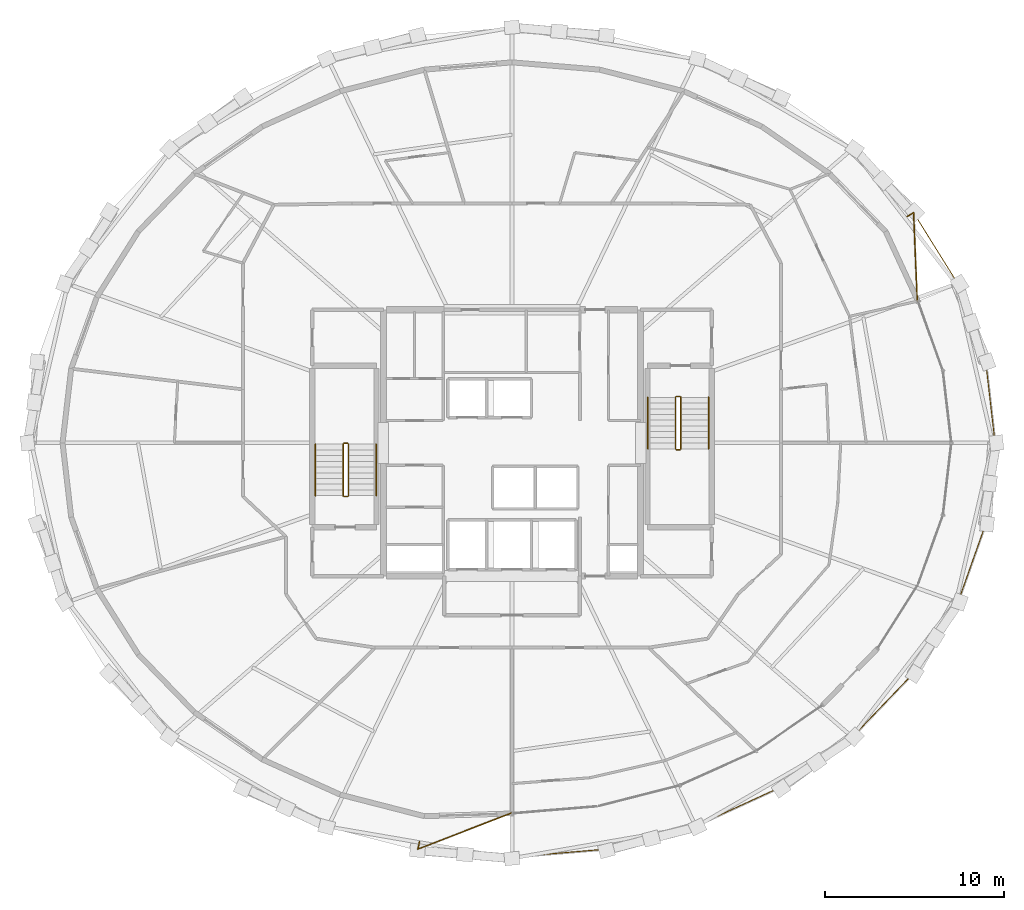
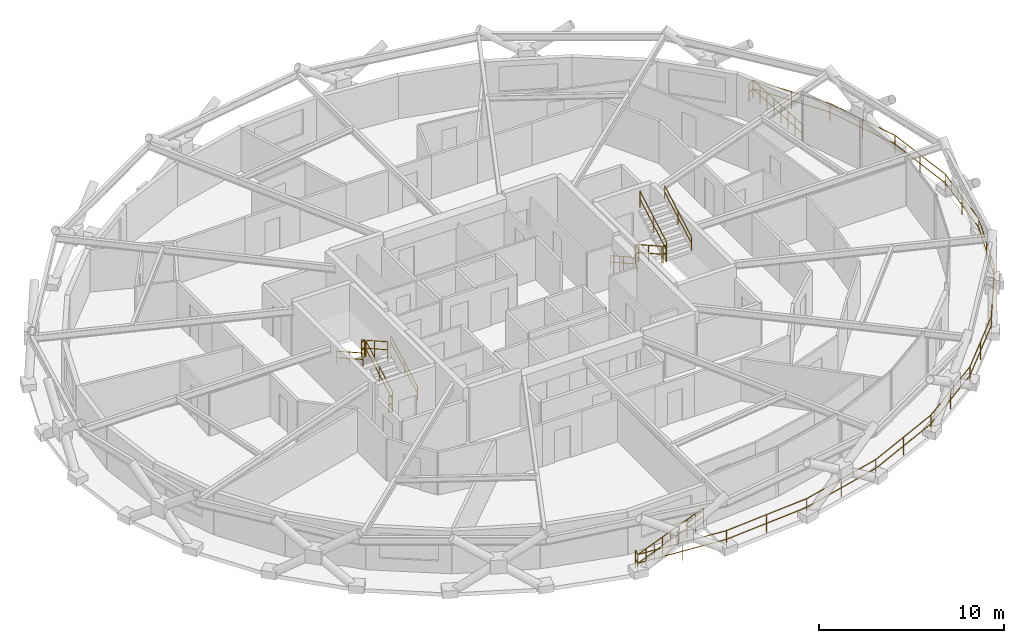
# One storey, part 16 of 16: 15 railings.
"""IFC4 building model written with IfcOpenShell, lengths in metres."""

from ifc_helpers import new_model, si_unit, direction, frame, origin, origin_2d, place, context, subcontext, project, spatial, circle, extrude, material, type_object, element, save


model = new_model("IFC4")

# Units and contexts
model_context = context("Model", 3, precision=1e-05, world=origin(), true_north=direction((0.0, 1.0)))
body_context = subcontext(model_context, "Body", "Model", "MODEL_VIEW")
ifc_project = project(units=[si_unit("LENGTHUNIT", "METRE"), si_unit("AREAUNIT", "SQUARE_METRE"), si_unit("VOLUMEUNIT", "CUBIC_METRE"), si_unit("PLANEANGLEUNIT", "RADIAN"), si_unit("MASSUNIT", "GRAM", prefix="KILO")], contexts=[model_context])

# Site, building, storey
site_placement = place(None, origin())
site = spatial("IfcSite", under=ifc_project, at=site_placement, CompositionType="ELEMENT")
building_placement = place(site_placement, origin())
building = spatial("IfcBuilding", under=site, at=building_placement, Name="Veldorina Hangang Commons", CompositionType="ELEMENT")
storey_placement = place(building_placement, frame((0.0, 0.0, 189.199951171875)))
storey = spatial("IfcBuildingStorey", under=building, at=storey_placement, Name="L49", CompositionType="ELEMENT", Elevation=189.199951171875)

# Railings
ifc_material_1 = material(Name="Glass Laminated Safety Balustrade", Category="glass")
railing_type_1 = type_object("IfcRailingType", Name="RL-BAL-LOGGIA", PredefinedType="BALUSTRADE", material=ifc_material_1)
railing_1_placement = place(storey_placement, frame((26.8251953125, 1.682373046875, 0.0)))
element("IfcRailing", 1, at=railing_1_placement, inside=storey, type_object=railing_type_1, Name="L49 sky-garden loggia end balustrade A", PredefinedType="BALUSTRADE", context=body_context, shape_type="SweptSolid", body=[
    extrude(circle(Radius=0.02392578125, at=origin_2d()), frame((0.0, 0.0, 1.17578125), z_axis=(-0.225538706827, -0.974234207839, 0.0), x_axis=(0.974234207839, -0.225538706827, 0.0)), (0.0, 0.0, 1.0), 0.419921875),
    extrude(circle(Radius=0.02392578125, at=origin_2d()), frame((0.0, 0.0, 0.60009765625), z_axis=(-0.225538706827, -0.974234207839, 0.0), x_axis=(0.974234207839, -0.225538706827, 0.0)), (0.0, 0.0, 1.0), 0.419921875),
    extrude(circle(Radius=0.02392578125, at=origin_2d()), frame((-0.0947265625, -0.4091796875, 1.17578125), z_axis=(0.932831151475, 0.360313811612, 0.0), x_axis=(-0.360313811612, 0.932831151475, 0.0)), (0.0, 0.0, 1.0), 5.64892578125),
    extrude(circle(Radius=0.02392578125, at=origin_2d()), frame((-0.0947265625, -0.4091796875, 0.60009765625), z_axis=(0.932831151475, 0.360313811612, 0.0), x_axis=(-0.360313811612, 0.932831151475, 0.0)), (0.0, 0.0, 1.0), 5.64892578125),
    extrude(circle(Radius=0.02099609375, at=origin_2d()), origin(), (0.0, 0.0, 1.0), 1.15185546875),
    extrude(circle(Radius=0.02099609375, at=origin_2d()), frame((-0.0947265625, -0.4091796875, 0.0)), (0.0, 0.0, 1.0), 1.15185546875),
    extrude(circle(Radius=0.02099609375, at=origin_2d()), frame((0.56396484375, -0.15478515625, 0.0)), (0.0, 0.0, 1.0), 1.15185546875),
    extrude(circle(Radius=0.02099609375, at=origin_2d()), frame((1.22265625, 0.099609375, 0.0)), (0.0, 0.0, 1.0), 1.15185546875),
    extrude(circle(Radius=0.02099609375, at=origin_2d()), frame((1.88134765625, 0.35400390625, 0.0)), (0.0, 0.0, 1.0), 1.15185546875),
    extrude(circle(Radius=0.02099609375, at=origin_2d()), frame((2.5400390625, 0.6083984375, 0.0)), (0.0, 0.0, 1.0), 1.15185546875),
    extrude(circle(Radius=0.02099609375, at=origin_2d()), frame((3.19873046875, 0.863037109375, 0.0)), (0.0, 0.0, 1.0), 1.15185546875),
    extrude(circle(Radius=0.02099609375, at=origin_2d()), frame((3.857421875, 1.117431640625, 0.0)), (0.0, 0.0, 1.0), 1.15185546875),
    extrude(circle(Radius=0.02099609375, at=origin_2d()), frame((4.51611328125, 1.371826171875, 0.0)), (0.0, 0.0, 1.0), 1.15185546875),
    extrude(circle(Radius=0.02099609375, at=origin_2d()), frame((5.1748046875, 1.626220703125, 0.0)), (0.0, 0.0, 1.0), 1.15185546875),
])
railing_2_placement = place(storey_placement, frame((54.102294921875, 36.669189453125, 0.0)))
element("IfcRailing", 2, at=railing_2_placement, inside=storey, type_object=railing_type_1, Name="L49 sky-garden loggia end balustrade B", PredefinedType="BALUSTRADE", context=body_context, shape_type="SweptSolid", body=[
    extrude(circle(Radius=0.02392578125, at=origin_2d()), frame((0.0, 0.0, 1.17578125), z_axis=(0.867777776068, 0.496952443763, 0.0), x_axis=(-0.496952443763, 0.867777776068, 0.0)), (0.0, 0.0, 1.0), 0.419921875),
    extrude(circle(Radius=0.02392578125, at=origin_2d()), frame((0.0, 0.0, 0.60009765625), z_axis=(0.867777776068, 0.496952443763, 0.0), x_axis=(-0.496952443763, 0.867777776068, 0.0)), (0.0, 0.0, 1.0), 0.419921875),
    extrude(circle(Radius=0.02392578125, at=origin_2d()), frame((0.364501953125, 0.208740234375, 1.17578125), z_axis=(0.041921157562, -0.999120921885, 0.0), x_axis=(0.999120921885, 0.041921157562, 0.0)), (0.0, 0.0, 1.0), 4.9619140625),
    extrude(circle(Radius=0.02392578125, at=origin_2d()), frame((0.364501953125, 0.208740234375, 0.60009765625), z_axis=(0.041921157562, -0.999120921885, 0.0), x_axis=(0.999120921885, 0.041921157562, 0.0)), (0.0, 0.0, 1.0), 4.9619140625),
    extrude(circle(Radius=0.02099609375, at=origin_2d()), origin(), (0.0, 0.0, 1.0), 1.15185546875),
    extrude(circle(Radius=0.02099609375, at=origin_2d()), frame((0.364501953125, 0.208740234375, 0.0)), (0.0, 0.0, 1.0), 1.15185546875),
    extrude(circle(Radius=0.02099609375, at=origin_2d()), frame((0.394287109375, -0.49951171875, 0.0)), (0.0, 0.0, 1.0), 1.15185546875),
    extrude(circle(Radius=0.02099609375, at=origin_2d()), frame((0.423828125, -1.207763671875, 0.0)), (0.0, 0.0, 1.0), 1.15185546875),
    extrude(circle(Radius=0.02099609375, at=origin_2d()), frame((0.45361328125, -1.916015625, 0.0)), (0.0, 0.0, 1.0), 1.15185546875),
    extrude(circle(Radius=0.02099609375, at=origin_2d()), frame((0.4833984375, -2.6240234375, 0.0)), (0.0, 0.0, 1.0), 1.15185546875),
    extrude(circle(Radius=0.02099609375, at=origin_2d()), frame((0.51318359375, -3.332275390625, 0.0)), (0.0, 0.0, 1.0), 1.15185546875),
    extrude(circle(Radius=0.02099609375, at=origin_2d()), frame((0.542724609375, -4.04052734375, 0.0)), (0.0, 0.0, 1.0), 1.15185546875),
    extrude(circle(Radius=0.02099609375, at=origin_2d()), frame((0.572509765625, -4.748779296875, 0.0)), (0.0, 0.0, 1.0), 1.15185546875),
])
railing_3_placement = place(storey_placement, frame((26.73046875, 1.273193359375, 0.0)))
element("IfcRailing", 3, at=railing_3_placement, inside=storey, type_object=railing_type_1, Name="L49 sky-garden loggia outer balustrade", PredefinedType="BALUSTRADE", context=body_context, shape_type="SweptSolid", body=[
    extrude(circle(Radius=0.02392578125, at=origin_2d()), frame((0.0, 0.0, 1.17578125), z_axis=(0.996459903584, -0.084069379375, 0.0), x_axis=(0.084069379375, 0.996459903584, 0.0)), (0.0, 0.0, 1.0), 5.288330078125),
    extrude(circle(Radius=0.02392578125, at=origin_2d()), frame((0.0, 0.0, 0.60009765625), z_axis=(0.996459903584, -0.084069379375, 0.0), x_axis=(0.084069379375, 0.996459903584, 0.0)), (0.0, 0.0, 1.0), 5.288330078125),
    extrude(circle(Radius=0.02392578125, at=origin_2d()), frame((5.26953125, -0.444580078125, 1.17578125), z_axis=(0.996459903584, 0.084069379375, 0.0), x_axis=(-0.084069379375, 0.996459903584, 0.0)), (0.0, 0.0, 1.0), 5.288330078125),
    extrude(circle(Radius=0.02392578125, at=origin_2d()), frame((5.26953125, -0.444580078125, 0.60009765625), z_axis=(0.996459903584, 0.084069379375, 0.0), x_axis=(-0.084069379375, 0.996459903584, 0.0)), (0.0, 0.0, 1.0), 5.288330078125),
    extrude(circle(Radius=0.02392578125, at=origin_2d()), frame((10.5390625, 0.0, 1.17578125), z_axis=(0.967846120841, 0.251543010981, 0.0), x_axis=(-0.251543010981, 0.967846120841, 0.0)), (0.0, 0.0, 1.0), 5.236328125),
    extrude(circle(Radius=0.02392578125, at=origin_2d()), frame((10.5390625, 0.0, 0.60009765625), z_axis=(0.967846120841, 0.251543010981, 0.0), x_axis=(-0.251543010981, 0.967846120841, 0.0)), (0.0, 0.0, 1.0), 5.236328125),
    extrude(circle(Radius=0.02392578125, at=origin_2d()), frame((15.60693359375, 1.317138671875, 1.17578125), z_axis=(0.909158530422, 0.416450196976, 0.0), x_axis=(-0.416450196976, 0.909158530422, 0.0)), (0.0, 0.0, 1.0), 5.138427734375),
    extrude(circle(Radius=0.02392578125, at=origin_2d()), frame((15.60693359375, 1.317138671875, 0.60009765625), z_axis=(0.909158530422, 0.416450196976, 0.0), x_axis=(-0.416450196976, 0.909158530422, 0.0)), (0.0, 0.0, 1.0), 5.138427734375),
    extrude(circle(Radius=0.02392578125, at=origin_2d()), frame((20.278564453125, 3.45703125, 1.17578125), z_axis=(0.817951725631, 0.575286862823, 0.0), x_axis=(-0.575286862823, 0.817951725631, 0.0)), (0.0, 0.0, 1.0), 5.00732421875),
    extrude(circle(Radius=0.02392578125, at=origin_2d()), frame((20.278564453125, 3.45703125, 0.60009765625), z_axis=(0.817951725631, 0.575286862823, 0.0), x_axis=(-0.575286862823, 0.817951725631, 0.0)), (0.0, 0.0, 1.0), 5.00732421875),
    extrude(circle(Radius=0.02392578125, at=origin_2d()), frame((24.374267578125, 6.337646484375, 1.17578125), z_axis=(0.691597700579, 0.722282922789, 0.0), x_axis=(-0.722282922789, 0.691597700579, 0.0)), (0.0, 0.0, 1.0), 4.861328125),
    extrude(circle(Radius=0.02392578125, at=origin_2d()), frame((24.374267578125, 6.337646484375, 0.60009765625), z_axis=(0.691597700579, 0.722282922789, 0.0), x_axis=(-0.722282922789, 0.691597700579, 0.0)), (0.0, 0.0, 1.0), 4.861328125),
    extrude(circle(Radius=0.02392578125, at=origin_2d()), frame((27.736328125, 9.848876953125, 1.17578125), z_axis=(0.529162167725, 0.848520712917, 0.0), x_axis=(-0.848520712917, 0.529162167725, 0.0)), (0.0, 0.0, 1.0), 4.72216796875),
    extrude(circle(Radius=0.02392578125, at=origin_2d()), frame((27.736328125, 9.848876953125, 0.60009765625), z_axis=(0.529162167725, 0.848520712917, 0.0), x_axis=(-0.848520712917, 0.529162167725, 0.0)), (0.0, 0.0, 1.0), 4.72216796875),
    extrude(circle(Radius=0.02392578125, at=origin_2d()), frame((30.235107421875, 13.855712890625, 1.17578125), z_axis=(0.333609044694, 0.942711517538, 0.0), x_axis=(-0.942711517538, 0.333609044694, 0.0)), (0.0, 0.0, 1.0), 4.612548828125),
    extrude(circle(Radius=0.02392578125, at=origin_2d()), frame((30.235107421875, 13.855712890625, 0.60009765625), z_axis=(0.333609044694, 0.942711517538, 0.0), x_axis=(-0.942711517538, 0.333609044694, 0.0)), (0.0, 0.0, 1.0), 4.612548828125),
    extrude(circle(Radius=0.02392578125, at=origin_2d()), frame((31.77392578125, 18.2041015625, 1.17578125), z_axis=(0.114174246422, 0.993460739765, 0.0), x_axis=(-0.993460739765, 0.114174246422, 0.0)), (0.0, 0.0, 1.0), 4.552490234375),
    extrude(circle(Radius=0.02392578125, at=origin_2d()), frame((31.77392578125, 18.2041015625, 0.60009765625), z_axis=(0.114174246422, 0.993460739765, 0.0), x_axis=(-0.993460739765, 0.114174246422, 0.0)), (0.0, 0.0, 1.0), 4.552490234375),
    extrude(circle(Radius=0.02392578125, at=origin_2d()), frame((32.293701171875, 22.726806640625, 1.17578125), z_axis=(-0.114174246422, 0.993460739765, 0.0), x_axis=(-0.993460739765, -0.114174246422, 0.0)), (0.0, 0.0, 1.0), 4.552490234375),
    extrude(circle(Radius=0.02392578125, at=origin_2d()), frame((32.293701171875, 22.726806640625, 0.60009765625), z_axis=(-0.114174246422, 0.993460739765, 0.0), x_axis=(-0.993460739765, -0.114174246422, 0.0)), (0.0, 0.0, 1.0), 4.552490234375),
    extrude(circle(Radius=0.02392578125, at=origin_2d()), frame((31.77392578125, 27.24951171875, 1.17578125), z_axis=(-0.333609044694, 0.942711517538, 0.0), x_axis=(-0.942711517538, -0.333609044694, 0.0)), (0.0, 0.0, 1.0), 4.612548828125),
    extrude(circle(Radius=0.02392578125, at=origin_2d()), frame((31.77392578125, 27.24951171875, 0.60009765625), z_axis=(-0.333609044694, 0.942711517538, 0.0), x_axis=(-0.942711517538, -0.333609044694, 0.0)), (0.0, 0.0, 1.0), 4.612548828125),
    extrude(circle(Radius=0.02392578125, at=origin_2d()), frame((30.235107421875, 31.597900390625, 1.17578125), z_axis=(-0.529162167725, 0.848520712917, 0.0), x_axis=(-0.848520712917, -0.529162167725, 0.0)), (0.0, 0.0, 1.0), 4.72216796875),
    extrude(circle(Radius=0.02392578125, at=origin_2d()), frame((30.235107421875, 31.597900390625, 0.60009765625), z_axis=(-0.529162167725, 0.848520712917, 0.0), x_axis=(-0.848520712917, -0.529162167725, 0.0)), (0.0, 0.0, 1.0), 4.72216796875),
    extrude(circle(Radius=0.02099609375, at=origin_2d()), origin(), (0.0, 0.0, 1.0), 1.15185546875),
    extrude(circle(Radius=0.02099609375, at=origin_2d()), frame((2.634765625, -0.22216796875, 0.0)), (0.0, 0.0, 1.0), 1.15185546875),
    extrude(circle(Radius=0.02099609375, at=origin_2d()), frame((5.26953125, -0.444580078125, 0.0)), (0.0, 0.0, 1.0), 1.15185546875),
    extrude(circle(Radius=0.02099609375, at=origin_2d()), frame((7.904296875, -0.22216796875, 0.0)), (0.0, 0.0, 1.0), 1.15185546875),
    extrude(circle(Radius=0.02099609375, at=origin_2d()), frame((10.5390625, 0.0, 0.0)), (0.0, 0.0, 1.0), 1.15185546875),
    extrude(circle(Radius=0.02099609375, at=origin_2d()), frame((13.072998046875, 0.65869140625, 0.0)), (0.0, 0.0, 1.0), 1.15185546875),
    extrude(circle(Radius=0.02099609375, at=origin_2d()), frame((15.60693359375, 1.317138671875, 0.0)), (0.0, 0.0, 1.0), 1.15185546875),
    extrude(circle(Radius=0.02099609375, at=origin_2d()), frame((17.94287109375, 2.38720703125, 0.0)), (0.0, 0.0, 1.0), 1.15185546875),
    extrude(circle(Radius=0.02099609375, at=origin_2d()), frame((20.278564453125, 3.45703125, 0.0)), (0.0, 0.0, 1.0), 1.15185546875),
    extrude(circle(Radius=0.02099609375, at=origin_2d()), frame((22.326416015625, 4.8974609375, 0.0)), (0.0, 0.0, 1.0), 1.15185546875),
    extrude(circle(Radius=0.02099609375, at=origin_2d()), frame((24.374267578125, 6.337646484375, 0.0)), (0.0, 0.0, 1.0), 1.15185546875),
    extrude(circle(Radius=0.02099609375, at=origin_2d()), frame((26.05517578125, 8.09326171875, 0.0)), (0.0, 0.0, 1.0), 1.15185546875),
    extrude(circle(Radius=0.02099609375, at=origin_2d()), frame((27.736328125, 9.848876953125, 0.0)), (0.0, 0.0, 1.0), 1.15185546875),
    extrude(circle(Radius=0.02099609375, at=origin_2d()), frame((28.98583984375, 11.852294921875, 0.0)), (0.0, 0.0, 1.0), 1.15185546875),
    extrude(circle(Radius=0.02099609375, at=origin_2d()), frame((30.235107421875, 13.855712890625, 0.0)), (0.0, 0.0, 1.0), 1.15185546875),
    extrude(circle(Radius=0.02099609375, at=origin_2d()), frame((31.00439453125, 16.02978515625, 0.0)), (0.0, 0.0, 1.0), 1.15185546875),
    extrude(circle(Radius=0.02099609375, at=origin_2d()), frame((31.77392578125, 18.2041015625, 0.0)), (0.0, 0.0, 1.0), 1.15185546875),
    extrude(circle(Radius=0.02099609375, at=origin_2d()), frame((32.03369140625, 20.46533203125, 0.0)), (0.0, 0.0, 1.0), 1.15185546875),
    extrude(circle(Radius=0.02099609375, at=origin_2d()), frame((32.293701171875, 22.726806640625, 0.0)), (0.0, 0.0, 1.0), 1.15185546875),
    extrude(circle(Radius=0.02099609375, at=origin_2d()), frame((32.03369140625, 24.98828125, 0.0)), (0.0, 0.0, 1.0), 1.15185546875),
    extrude(circle(Radius=0.02099609375, at=origin_2d()), frame((31.77392578125, 27.24951171875, 0.0)), (0.0, 0.0, 1.0), 1.15185546875),
    extrude(circle(Radius=0.02099609375, at=origin_2d()), frame((31.00439453125, 29.423828125, 0.0)), (0.0, 0.0, 1.0), 1.15185546875),
    extrude(circle(Radius=0.02099609375, at=origin_2d()), frame((30.235107421875, 31.597900390625, 0.0)), (0.0, 0.0, 1.0), 1.15185546875),
    extrude(circle(Radius=0.02099609375, at=origin_2d()), frame((28.98583984375, 33.601318359375, 0.0)), (0.0, 0.0, 1.0), 1.15185546875),
    extrude(circle(Radius=0.02099609375, at=origin_2d()), frame((27.736328125, 35.604736328125, 0.0)), (0.0, 0.0, 1.0), 1.15185546875),
])
ifc_material_2 = material(Name="Steel Painted Balustrade", Category="steel")
railing_type_2 = type_object("IfcRailingType", Name="RL-GRD-STAIR", PredefinedType="GUARDRAIL", material=ifc_material_2)
railing_4_placement = place(storey_placement, frame((22.85009765625, 21.050048828125, 0.179931640625)))
element("IfcRailing", 4, at=railing_4_placement, inside=storey, type_object=railing_type_2, Name="L49 ST-1 stair guard 1", PredefinedType="GUARDRAIL", context=body_context, shape_type="SweptSolid", body=[
    extrude(circle(Radius=0.02392578125, at=origin_2d()), frame((0.0, 0.0, 1.076171875), z_axis=(0.0, 0.87155185771, 0.490303333991), x_axis=(-1.0, 0.0, 0.0)), (0.0, 0.0, 1.0), 3.30419921875),
    extrude(circle(Radius=0.02392578125, at=origin_2d()), frame((0.0, 0.0, 0.550048828125), z_axis=(0.0, 0.87155185771, 0.490303333991), x_axis=(-1.0, 0.0, 0.0)), (0.0, 0.0, 1.0), 3.30419921875),
    extrude(circle(Radius=0.02099609375, at=origin_2d()), origin(), (0.0, 0.0, 1.0), 1.052001953125),
    extrude(circle(Radius=0.02099609375, at=origin_2d()), frame((0.0, 1.43994140625, 0.81005859375)), (0.0, 0.0, 1.0), 1.052001953125),
    extrude(circle(Radius=0.02099609375, at=origin_2d()), frame((0.0, 2.8798828125, 1.6201171875)), (0.0, 0.0, 1.0), 1.052001953125),
])
railing_5_placement = place(storey_placement, frame((22.800048828125, 23.97998046875, 1.800048828125)))
element("IfcRailing", 5, at=railing_5_placement, inside=storey, type_object=railing_type_2, Name="L49 ST-1 stair guard 2", PredefinedType="GUARDRAIL", context=body_context, shape_type="SweptSolid", body=[
    extrude(circle(Radius=0.02392578125, at=origin_2d()), frame((0.0, 0.0, 1.076171875), z_axis=(-1.0, 0.0, 0.0), x_axis=(0.0, -1.0, 0.0)), (0.0, 0.0, 1.0), 0.199951171875),
    extrude(circle(Radius=0.02392578125, at=origin_2d()), frame((0.0, 0.0, 0.550048828125), z_axis=(-1.0, 0.0, 0.0), x_axis=(0.0, -1.0, 0.0)), (0.0, 0.0, 1.0), 0.199951171875),
    extrude(circle(Radius=0.02099609375, at=origin_2d()), origin(), (0.0, 0.0, 1.0), 1.052001953125),
    extrude(circle(Radius=0.02099609375, at=origin_2d()), frame((-0.199951171875, 0.0, 0.0)), (0.0, 0.0, 1.0), 1.052001953125),
])
railing_6_placement = place(storey_placement, frame((22.550048828125, 23.929931640625, 1.97998046875)))
element("IfcRailing", 6, at=railing_6_placement, inside=storey, type_object=railing_type_2, Name="L49 ST-1 stair guard 3", PredefinedType="GUARDRAIL", context=body_context, shape_type="SweptSolid", body=[
    extrude(circle(Radius=0.02392578125, at=origin_2d()), frame((0.0, 0.0, 1.076171875), z_axis=(0.0, -0.87155185771, 0.490303333991), x_axis=(1.0, 0.0, 0.0)), (0.0, 0.0, 1.0), 3.30419921875),
    extrude(circle(Radius=0.02392578125, at=origin_2d()), frame((0.0, 0.0, 0.550048828125), z_axis=(0.0, -0.87155185771, 0.490303333991), x_axis=(1.0, 0.0, 0.0)), (0.0, 0.0, 1.0), 3.30419921875),
    extrude(circle(Radius=0.02099609375, at=origin_2d()), origin(), (0.0, 0.0, 1.0), 1.052001953125),
    extrude(circle(Radius=0.02099609375, at=origin_2d()), frame((0.0, -1.43994140625, 0.81005859375)), (0.0, 0.0, 1.0), 1.052001953125),
    extrude(circle(Radius=0.02099609375, at=origin_2d()), frame((0.0, -2.8798828125, 1.6201171875)), (0.0, 0.0, 1.0), 1.052001953125),
])
railing_7_placement = place(storey_placement, frame((22.800048828125, 21.0, 0.0)))
element("IfcRailing", 7, at=railing_7_placement, inside=storey, type_object=railing_type_2, Name="L49 ST-1 stair guard 4", PredefinedType="GUARDRAIL", context=body_context, shape_type="SweptSolid", body=[
    extrude(circle(Radius=0.02392578125, at=origin_2d()), frame((0.0, 0.0, 1.076171875), z_axis=(-1.0, 0.0, 0.0), x_axis=(0.0, -1.0, 0.0)), (0.0, 0.0, 1.0), 0.199951171875),
    extrude(circle(Radius=0.02392578125, at=origin_2d()), frame((0.0, 0.0, 0.550048828125), z_axis=(-1.0, 0.0, 0.0), x_axis=(0.0, -1.0, 0.0)), (0.0, 0.0, 1.0), 0.199951171875),
    extrude(circle(Radius=0.02099609375, at=origin_2d()), origin(), (0.0, 0.0, 1.0), 1.052001953125),
    extrude(circle(Radius=0.02099609375, at=origin_2d()), frame((-0.199951171875, 0.0, 0.0)), (0.0, 0.0, 1.0), 1.052001953125),
])
railing_8_placement = place(storey_placement, frame((41.14990234375, 26.550048828125, 0.179931640625)))
element("IfcRailing", 8, at=railing_8_placement, inside=storey, type_object=railing_type_2, Name="L49 ST-2 stair guard 1", PredefinedType="GUARDRAIL", context=body_context, shape_type="SweptSolid", body=[
    extrude(circle(Radius=0.02392578125, at=origin_2d()), frame((0.0, 0.0, 1.076171875), z_axis=(0.0, -0.871569617843, 0.490271762652), x_axis=(1.0, 0.0, 0.0)), (0.0, 0.0, 1.0), 3.304443359375),
    extrude(circle(Radius=0.02392578125, at=origin_2d()), frame((0.0, 0.0, 0.550048828125), z_axis=(0.0, -0.871569617843, 0.490271762652), x_axis=(1.0, 0.0, 0.0)), (0.0, 0.0, 1.0), 3.304443359375),
    extrude(circle(Radius=0.02099609375, at=origin_2d()), origin(), (0.0, 0.0, 1.0), 1.052001953125),
    extrude(circle(Radius=0.02099609375, at=origin_2d()), frame((0.0, -1.43994140625, 0.81005859375)), (0.0, 0.0, 1.0), 1.052001953125),
    extrude(circle(Radius=0.02099609375, at=origin_2d()), frame((0.0, -2.880126953125, 1.6201171875)), (0.0, 0.0, 1.0), 1.052001953125),
])
railing_9_placement = place(storey_placement, frame((41.199951171875, 23.6201171875, 1.800048828125)))
element("IfcRailing", 9, at=railing_9_placement, inside=storey, type_object=railing_type_2, Name="L49 ST-2 stair guard 2", PredefinedType="GUARDRAIL", context=body_context, shape_type="SweptSolid", body=[
    extrude(circle(Radius=0.02392578125, at=origin_2d()), frame((0.0, 0.0, 1.076171875), z_axis=(1.0, 0.0, 0.0), x_axis=(0.0, 1.0, 0.0)), (0.0, 0.0, 1.0), 0.199951171875),
    extrude(circle(Radius=0.02392578125, at=origin_2d()), frame((0.0, 0.0, 0.550048828125), z_axis=(1.0, 0.0, 0.0), x_axis=(0.0, 1.0, 0.0)), (0.0, 0.0, 1.0), 0.199951171875),
    extrude(circle(Radius=0.02099609375, at=origin_2d()), origin(), (0.0, 0.0, 1.0), 1.052001953125),
    extrude(circle(Radius=0.02099609375, at=origin_2d()), frame((0.199951171875, 0.0, 0.0)), (0.0, 0.0, 1.0), 1.052001953125),
])
railing_10_placement = place(storey_placement, frame((41.449951171875, 23.669921875, 1.97998046875)))
element("IfcRailing", 10, at=railing_10_placement, inside=storey, type_object=railing_type_2, Name="L49 ST-2 stair guard 3", PredefinedType="GUARDRAIL", context=body_context, shape_type="SweptSolid", body=[
    extrude(circle(Radius=0.02392578125, at=origin_2d()), frame((0.0, 0.0, 1.076171875), z_axis=(0.0, 0.871569617843, 0.490271762652), x_axis=(-1.0, 0.0, 0.0)), (0.0, 0.0, 1.0), 3.304443359375),
    extrude(circle(Radius=0.02392578125, at=origin_2d()), frame((0.0, 0.0, 0.550048828125), z_axis=(0.0, 0.871569617843, 0.490271762652), x_axis=(-1.0, 0.0, 0.0)), (0.0, 0.0, 1.0), 3.304443359375),
    extrude(circle(Radius=0.02099609375, at=origin_2d()), origin(), (0.0, 0.0, 1.0), 1.052001953125),
    extrude(circle(Radius=0.02099609375, at=origin_2d()), frame((0.0, 1.43994140625, 0.81005859375)), (0.0, 0.0, 1.0), 1.052001953125),
    extrude(circle(Radius=0.02099609375, at=origin_2d()), frame((0.0, 2.880126953125, 1.6201171875)), (0.0, 0.0, 1.0), 1.052001953125),
])
railing_11_placement = place(storey_placement, frame((41.199951171875, 26.60009765625, 0.0)))
element("IfcRailing", 11, at=railing_11_placement, inside=storey, type_object=railing_type_2, Name="L49 ST-2 stair guard 4", PredefinedType="GUARDRAIL", context=body_context, shape_type="SweptSolid", body=[
    extrude(circle(Radius=0.02392578125, at=origin_2d()), frame((0.0, 0.0, 1.076171875), z_axis=(1.0, 0.0, 0.0), x_axis=(0.0, 1.0, 0.0)), (0.0, 0.0, 1.0), 0.199951171875),
    extrude(circle(Radius=0.02392578125, at=origin_2d()), frame((0.0, 0.0, 0.550048828125), z_axis=(1.0, 0.0, 0.0), x_axis=(0.0, 1.0, 0.0)), (0.0, 0.0, 1.0), 0.199951171875),
    extrude(circle(Radius=0.02099609375, at=origin_2d()), origin(), (0.0, 0.0, 1.0), 1.052001953125),
    extrude(circle(Radius=0.02099609375, at=origin_2d()), frame((0.199951171875, 0.0, 0.0)), (0.0, 0.0, 1.0), 1.052001953125),
])
ifc_material_3 = material(Name="Stainless Steel Brushed 316", Category="steel")
railing_type_3 = type_object("IfcRailingType", Name="RL-HND-STAIR", PredefinedType="HANDRAIL", material=ifc_material_3)
railing_12_placement = place(storey_placement, frame((24.39990234375, 21.050048828125, 0.179931640625)))
element("IfcRailing", 12, at=railing_12_placement, inside=storey, type_object=railing_type_3, Name="L49 ST-1 stair handrail 1", PredefinedType="HANDRAIL", context=body_context, shape_type="SweptSolid", body=[
    extrude(circle(Radius=0.02392578125, at=origin_2d()), frame((0.0, 0.0, 0.8759765625), z_axis=(0.0, 0.87155185771, 0.490303333991), x_axis=(-1.0, 0.0, 0.0)), (0.0, 0.0, 1.0), 3.30419921875),
    extrude(circle(Radius=0.02392578125, at=origin_2d()), frame((0.0, 0.0, 0.449951171875), z_axis=(0.0, 0.87155185771, 0.490303333991), x_axis=(-1.0, 0.0, 0.0)), (0.0, 0.0, 1.0), 3.30419921875),
    extrude(circle(Radius=0.02099609375, at=origin_2d()), origin(), (0.0, 0.0, 1.0), 0.851806640625),
    extrude(circle(Radius=0.02099609375, at=origin_2d()), frame((0.0, 1.43994140625, 0.81005859375)), (0.0, 0.0, 1.0), 0.851806640625),
    extrude(circle(Radius=0.02099609375, at=origin_2d()), frame((0.0, 2.8798828125, 1.6201171875)), (0.0, 0.0, 1.0), 0.851806640625),
])
railing_13_placement = place(storey_placement, frame((21.0, 23.929931640625, 1.97998046875)))
element("IfcRailing", 13, at=railing_13_placement, inside=storey, type_object=railing_type_3, Name="L49 ST-1 stair handrail 2", PredefinedType="HANDRAIL", context=body_context, shape_type="SweptSolid", body=[
    extrude(circle(Radius=0.02392578125, at=origin_2d()), frame((0.0, 0.0, 0.8759765625), z_axis=(0.0, -0.87155185771, 0.490303333991), x_axis=(1.0, 0.0, 0.0)), (0.0, 0.0, 1.0), 3.30419921875),
    extrude(circle(Radius=0.02392578125, at=origin_2d()), frame((0.0, 0.0, 0.449951171875), z_axis=(0.0, -0.87155185771, 0.490303333991), x_axis=(1.0, 0.0, 0.0)), (0.0, 0.0, 1.0), 3.30419921875),
    extrude(circle(Radius=0.02099609375, at=origin_2d()), origin(), (0.0, 0.0, 1.0), 0.851806640625),
    extrude(circle(Radius=0.02099609375, at=origin_2d()), frame((0.0, -1.43994140625, 0.81005859375)), (0.0, 0.0, 1.0), 0.851806640625),
    extrude(circle(Radius=0.02099609375, at=origin_2d()), frame((0.0, -2.8798828125, 1.6201171875)), (0.0, 0.0, 1.0), 0.851806640625),
])
railing_14_placement = place(storey_placement, frame((39.60009765625, 26.550048828125, 0.179931640625)))
element("IfcRailing", 14, at=railing_14_placement, inside=storey, type_object=railing_type_3, Name="L49 ST-2 stair handrail 1", PredefinedType="HANDRAIL", context=body_context, shape_type="SweptSolid", body=[
    extrude(circle(Radius=0.02392578125, at=origin_2d()), frame((0.0, 0.0, 0.8759765625), z_axis=(0.0, -0.871569617843, 0.490271762652), x_axis=(1.0, 0.0, 0.0)), (0.0, 0.0, 1.0), 3.304443359375),
    extrude(circle(Radius=0.02392578125, at=origin_2d()), frame((0.0, 0.0, 0.449951171875), z_axis=(0.0, -0.871569617843, 0.490271762652), x_axis=(1.0, 0.0, 0.0)), (0.0, 0.0, 1.0), 3.304443359375),
    extrude(circle(Radius=0.02099609375, at=origin_2d()), origin(), (0.0, 0.0, 1.0), 0.851806640625),
    extrude(circle(Radius=0.02099609375, at=origin_2d()), frame((0.0, -1.43994140625, 0.81005859375)), (0.0, 0.0, 1.0), 0.851806640625),
    extrude(circle(Radius=0.02099609375, at=origin_2d()), frame((0.0, -2.880126953125, 1.6201171875)), (0.0, 0.0, 1.0), 0.851806640625),
])
railing_15_placement = place(storey_placement, frame((43.0, 23.669921875, 1.97998046875)))
element("IfcRailing", 15, at=railing_15_placement, inside=storey, type_object=railing_type_3, Name="L49 ST-2 stair handrail 2", PredefinedType="HANDRAIL", context=body_context, shape_type="SweptSolid", body=[
    extrude(circle(Radius=0.02392578125, at=origin_2d()), frame((0.0, 0.0, 0.8759765625), z_axis=(0.0, 0.871569617843, 0.490271762652), x_axis=(-1.0, 0.0, 0.0)), (0.0, 0.0, 1.0), 3.304443359375),
    extrude(circle(Radius=0.02392578125, at=origin_2d()), frame((0.0, 0.0, 0.449951171875), z_axis=(0.0, 0.871569617843, 0.490271762652), x_axis=(-1.0, 0.0, 0.0)), (0.0, 0.0, 1.0), 3.304443359375),
    extrude(circle(Radius=0.02099609375, at=origin_2d()), origin(), (0.0, 0.0, 1.0), 0.851806640625),
    extrude(circle(Radius=0.02099609375, at=origin_2d()), frame((0.0, 1.43994140625, 0.81005859375)), (0.0, 0.0, 1.0), 0.851806640625),
    extrude(circle(Radius=0.02099609375, at=origin_2d()), frame((0.0, 2.880126953125, 1.6201171875)), (0.0, 0.0, 1.0), 0.851806640625),
])

save(model, "model.ifc")
